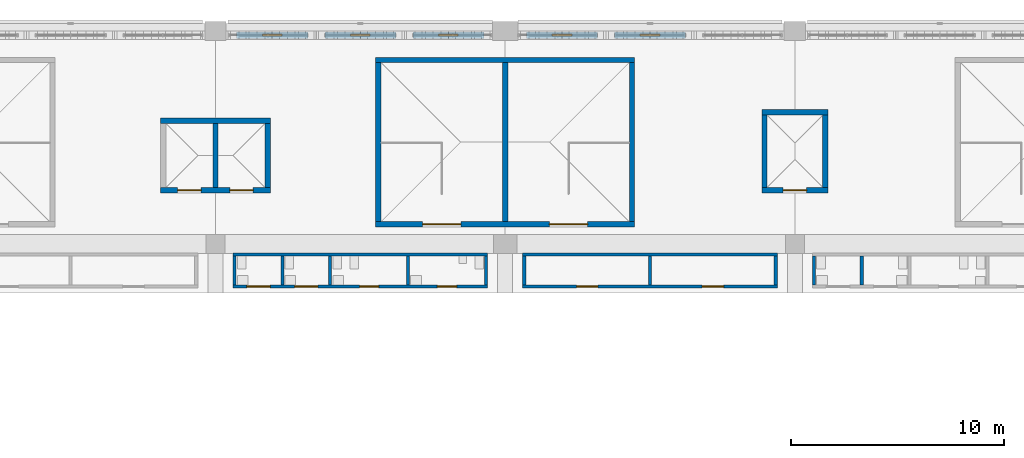
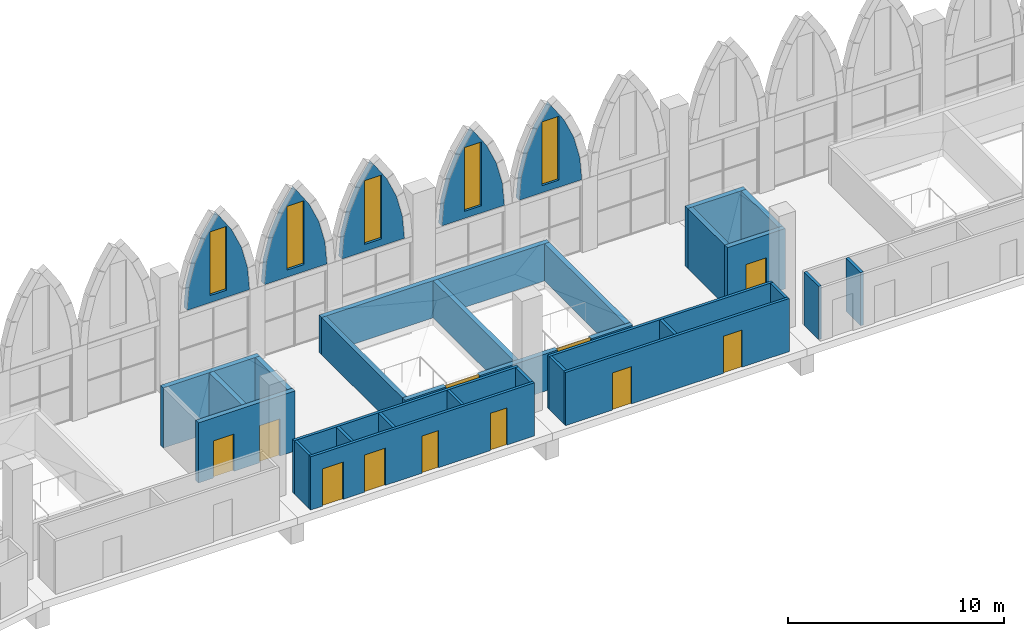
# One storey, part 82 of 130: 32 walls, 11 doors, 5 windows, 16 openings.
"""IFC4 building model written with IfcOpenShell, lengths in metres."""

import ifcopenshell
import ifcopenshell.guid

model = None  # the IFC model being written
_history = None  # IfcOwnerHistory: only IFC2X3 demands one
_inside = {}  # id of a spatial element -> (the spatial element, [elements in it])
_under = {}  # id of a project, library or spatial element -> (it, [spatial elements below it])
_declared = {}  # id of a project -> (the project, [libraries it declares])
_typed = {}  # id of a type object -> (the type object, [elements of that type])
_made_of = {}  # id of a material, layer set ... -> (it, [elements and type objects made of it])


def new_model(schema):
    """Start an empty IFC model of exactly this schema.

    Asked for "IFC4X3", IfcOpenShell would pick the latest addendum, in which some entities
    have other attributes; the version numbers below select the first issue.
    IFC2X3 requires an IfcOwnerHistory on every rooted entity: one is made here for all.
    """
    global model, _history
    if schema == "IFC4X3":
        model = ifcopenshell.file(schema_version=(4, 3, 0, 0))
    else:
        model = ifcopenshell.file(schema=schema)
    _inside.clear()
    _under.clear()
    _declared.clear()
    _typed.clear()
    _made_of.clear()
    _history = None
    if model.schema == "IFC2X3":
        org = make("IfcOrganization", Name="unknown")
        user = make(
            "IfcPersonAndOrganization",
            ThePerson=make("IfcPerson", FamilyName="unknown"),
            TheOrganization=org,
        )
        app = make(
            "IfcApplication",
            ApplicationDeveloper=org,
            Version="unknown",
            ApplicationFullName="unknown",
            ApplicationIdentifier="unknown",
        )
        _history = make(
            "IfcOwnerHistory",
            OwningUser=user,
            OwningApplication=app,
            ChangeAction="ADDED",
            CreationDate=0,
        )
    return model


def make(cls, **values):
    """One entity of the class cls with the attributes given. An attribute that is None is left unset."""
    return model.create_entity(
        cls, **{name: value for name, value in values.items() if value is not None}
    )


def rooted(cls, **values):
    """An entity with a GlobalId (a new one), such as an element, a storey or a relation."""
    return make(cls, GlobalId=ifcopenshell.guid.new(), OwnerHistory=_history, **values)


def si_unit(unit_type, name, prefix=None):
    """IfcSIUnit, for example si_unit("LENGTHUNIT", "METRE", prefix="MILLI")."""
    return make("IfcSIUnit", UnitType=unit_type, Prefix=prefix, Name=name)


def assignment(units):
    """IfcUnitAssignment: the units of a project."""
    return None if units is None else make("IfcUnitAssignment", Units=units)


def point(xyz):
    """IfcCartesianPoint."""
    return None if xyz is None else make("IfcCartesianPoint", Coordinates=xyz)


def direction(xyz):
    """IfcDirection."""
    return None if xyz is None else make("IfcDirection", DirectionRatios=xyz)


def frame(location, z_axis=None, x_axis=None):
    """IfcAxis2Placement3D, a coordinate frame: its origin and axes. An axis left out is left unset."""
    return make(
        "IfcAxis2Placement3D",
        Location=point(location),
        Axis=direction(z_axis),
        RefDirection=direction(x_axis),
    )


def frame_2d(location, x_axis=None):
    """IfcAxis2Placement2D, a coordinate frame in the plane: its origin and x axis."""
    return make(
        "IfcAxis2Placement2D", Location=point(location), RefDirection=direction(x_axis)
    )


def origin():
    """The frame at (0, 0, 0) with its axes left unset."""
    return frame((0.0, 0.0, 0.0))


def place(relative_to, where):
    """IfcLocalPlacement: puts the frame where relative to a parent placement (None: the world)."""
    return make(
        "IfcLocalPlacement", PlacementRelTo=relative_to, RelativePlacement=where
    )


def context(
    kind, dimensions, precision=None, world=None, true_north=None, identifier=None
):
    """IfcGeometricRepresentationContext, for example the 3D "Model" context."""
    return make(
        "IfcGeometricRepresentationContext",
        ContextIdentifier=identifier,
        ContextType=kind,
        CoordinateSpaceDimension=dimensions,
        Precision=precision,
        WorldCoordinateSystem=world,
        TrueNorth=true_north,
    )


def subcontext(parent, identifier, kind, view, scale=None):
    """IfcGeometricRepresentationSubContext, for example "Body" below "Model"."""
    return make(
        "IfcGeometricRepresentationSubContext",
        ContextIdentifier=identifier,
        ContextType=kind,
        ParentContext=parent,
        TargetScale=scale,
        TargetView=view,
    )


def project(units=None, contexts=None):
    """IfcProject with its units and contexts."""
    return rooted(
        "IfcProject",
        Name="project",
        RepresentationContexts=contexts,
        UnitsInContext=assignment(units),
    )


def spatial(cls, under=None, at=None, **own):
    """A site, building, storey or space (cls), placed at a placement, below another one or the project."""
    s = rooted(cls, ObjectPlacement=at, **own)
    if under is not None:
        _under.setdefault(under.id(), (under, []))[1].append(s)
    return s


def polyline(points):
    """IfcPolyline through the points."""
    return make("IfcPolyline", Points=[point(p) for p in points])


def profile(cls, at=None, kind="AREA", **sizes):
    """A parametric profile (cls). Its sizes go by their IFC names, for example OverallWidth=200.0."""
    return make(cls, ProfileType=kind, Position=at, **sizes)


def rectangle(**sizes):
    """IfcRectangleProfileDef."""
    return profile("IfcRectangleProfileDef", **sizes)


def outline(outer, holes=None, kind="AREA"):
    """IfcArbitraryClosedProfileDef: a profile drawn as a closed curve; with holes, ...WithVoids."""
    if holes is None:
        return make("IfcArbitraryClosedProfileDef", ProfileType=kind, OuterCurve=outer)
    return make(
        "IfcArbitraryProfileDefWithVoids",
        ProfileType=kind,
        OuterCurve=outer,
        InnerCurves=holes,
    )


def extrude(swept, where, along, depth):
    """IfcExtrudedAreaSolid: the profile swept, set in the frame where, extruded along a direction by depth."""
    return make(
        "IfcExtrudedAreaSolid",
        SweptArea=swept,
        Position=where,
        ExtrudedDirection=direction(along),
        Depth=depth,
    )


def shape(context_of_items, identifier, shape_type, items):
    """IfcShapeRepresentation: the items that make up one representation, for example the "Body"."""
    return make(
        "IfcShapeRepresentation",
        ContextOfItems=context_of_items,
        RepresentationIdentifier=identifier,
        RepresentationType=shape_type,
        Items=items,
    )


def material(Name=None, Category=None):
    """IfcMaterial."""
    return make("IfcMaterial", Name=Name, Category=Category)


def layer(
    of_material, thickness, ventilated=None, Name=None, Category=None, Priority=None
):
    """IfcMaterialLayer: one layer of a wall or slab, of a material (None: an air gap)."""
    return make(
        "IfcMaterialLayer",
        Material=of_material,
        LayerThickness=thickness,
        IsVentilated=ventilated,
        Name=Name,
        Category=Category,
        Priority=Priority,
    )


def layer_set(layers, Name=None):
    """IfcMaterialLayerSet."""
    return make("IfcMaterialLayerSet", MaterialLayers=layers, LayerSetName=Name)


def made_of(thing, what):
    """Note that an element or type object is made of a material, layer set ...; save() writes the relation."""
    if what is not None:
        _made_of.setdefault(what.id(), (what, []))[1].append(thing)
    return thing


def type_object(cls, material=None, **own):
    """A type object (cls), such as IfcWallType, which elements share."""
    return made_of(rooted(cls, **own), material)


def element(
    cls,
    number,
    at=None,
    inside=None,
    cuts=None,
    type_object=None,
    material=None,
    context=None,
    identifier="Body",
    shape_type=None,
    held_by="IfcProductDefinitionShape",
    body=None,
    shapes=None,
    **own,
):
    """One element of the class cls, such as IfcWall. Its Tag is "e" and its number.

    at: its placement. inside: the storey or other place that contains it. cuts: it is an
    opening in that element (IfcRelVoidsElement). A single representation is given by context,
    identifier, shape_type and body (its items); several are given by shapes. held_by: the class
    of the entity that holds the representations. save() writes the other relations.
    """
    e = rooted(cls, Tag="e%d" % number, ObjectPlacement=at, **own)
    if body is not None:
        shapes = [shape(context, identifier, shape_type, body)]
    if shapes is not None:
        e.Representation = make(held_by, Representations=shapes)
    if inside is not None:
        _inside.setdefault(inside.id(), (inside, []))[1].append(e)
    if cuts is not None:
        rooted(
            "IfcRelVoidsElement", RelatingBuildingElement=cuts, RelatedOpeningElement=e
        )
    if type_object is not None:
        _typed.setdefault(type_object.id(), (type_object, []))[1].append(e)
    return made_of(e, material)


def fill(opening, filler):
    """IfcRelFillsElement: the door or window that sits in an opening."""
    return rooted(
        "IfcRelFillsElement",
        RelatingOpeningElement=opening,
        RelatedBuildingElement=filler,
    )


def aggregate(whole, parts):
    """IfcRelAggregates: a whole, such as a stair, and the parts it consists of."""
    return rooted("IfcRelAggregates", RelatingObject=whole, RelatedObjects=parts)


def save(model, path):
    """Write the relations noted so far, then the file.

    IfcRelAggregates (storeys below a building ...), IfcRelContainedInSpatialStructure (elements
    in a storey), IfcRelDefinesByType, IfcRelAssociatesMaterial and IfcRelDeclares: one each for
    every whole, place, type object, material and project.
    """
    for whole, parts in _under.values():
        aggregate(whole, parts)
    for where, things in _inside.values():
        rooted(
            "IfcRelContainedInSpatialStructure",
            RelatedElements=things,
            RelatingStructure=where,
        )
    for kind, things in _typed.values():
        rooted("IfcRelDefinesByType", RelatedObjects=things, RelatingType=kind)
    for what, things in _made_of.values():
        rooted("IfcRelAssociatesMaterial", RelatedObjects=things, RelatingMaterial=what)
    for by, libraries in _declared.values():
        rooted("IfcRelDeclares", RelatingContext=by, RelatedDefinitions=libraries)
    model.write(path)


model = new_model("IFC4")

# Units and contexts
model_context = context("Model", 3, precision=1e-05, world=origin(), true_north=direction((0.0, 1.0)))
body_context = subcontext(model_context, "Body", "Model", "MODEL_VIEW")
ifc_project = project(units=[si_unit("LENGTHUNIT", "METRE"), si_unit("AREAUNIT", "SQUARE_METRE"), si_unit("VOLUMEUNIT", "CUBIC_METRE"), si_unit("PLANEANGLEUNIT", "RADIAN"), si_unit("MASSUNIT", "GRAM", prefix="KILO")], contexts=[model_context])

# Site, building, storey
site_placement = place(None, origin())
site = spatial("IfcSite", under=ifc_project, at=site_placement, CompositionType="ELEMENT")
building_placement = place(site_placement, origin())
building = spatial("IfcBuilding", under=site, at=building_placement, Name="Ogive Plaza Stadium", CompositionType="ELEMENT")
storey_placement = place(building_placement, frame((0.0, 0.0, 22.5)))
storey = spatial("IfcBuildingStorey", under=building, at=storey_placement, Name="L05", CompositionType="ELEMENT", Elevation=22.5)

# Wall, openings, doors
ifc_material_1 = material(Name="Masonry blockwork", Category="masonry")
ifc_layer_1 = layer(ifc_material_1, 0.14990234375)
ifc_layer_set_1 = layer_set([ifc_layer_1], Name="Blockwork wall 150")
wall_type_1 = type_object("IfcWallType", Name="Blockwork wall 150", PredefinedType="SOLIDWALL", material=ifc_layer_set_1)
wall_1_placement = place(storey_placement, frame((-5.97509765625, 90.5, 0.0), z_axis=(0.0, 0.0, 1.0), x_axis=(1.0, 0.0, 0.0)))
wall_1 = element("IfcWall", 1, at=wall_1_placement, inside=storey, type_object=wall_type_1, Name="Wall L05 B34", PredefinedType="SOLIDWALL", context=body_context, shape_type="SweptSolid", body=[
    extrude(rectangle(XDim=11.9501953125, YDim=0.14990234375, at=frame_2d((5.97509765625, 0.0))), origin(), (0.0, 0.0, 1.0), 3.0),
])
opening_1_placement = place(wall_1_placement, frame((2.52490234375, 0.0, 0.0)))
opening_1 = element("IfcOpeningElement", 2, at=opening_1_placement, cuts=wall_1, Name="Opening D1017", PredefinedType="OPENING", context=body_context, shape_type="SweptSolid", body=[
    extrude(rectangle(XDim=1.0, YDim=2.10009765625, at=frame_2d((0.5, 1.050048828125))), frame((0.0, 0.074951171875, 0.0), z_axis=(0.0, -1.0, 0.0), x_axis=(1.0, 0.0, 0.0)), (0.0, 0.0, 1.0), 0.14990234375),
])
opening_2_placement = place(wall_1_placement, frame((8.425048828125, 0.0, 0.0)))
opening_2 = element("IfcOpeningElement", 3, at=opening_2_placement, cuts=wall_1, Name="Opening D1018", PredefinedType="OPENING", context=body_context, shape_type="SweptSolid", body=[
    extrude(rectangle(XDim=1.0, YDim=2.10009765625, at=frame_2d((0.5, 1.050048828125))), frame((0.0, 0.074951171875, 0.0), z_axis=(0.0, -1.0, 0.0), x_axis=(1.0, 0.0, 0.0)), (0.0, 0.0, 1.0), 0.14990234375),
])
ifc_material_2 = material(Name="Steel ASTM A572 Grade 50", Category="steel")
door_type_1 = type_object("IfcDoorType", Name="Door 1000 x 2100", OperationType="SINGLE_SWING_LEFT", PredefinedType="DOOR", material=ifc_material_2)
door_1_placement = place(opening_1_placement, origin())
door_1 = element("IfcDoor", 4, at=door_1_placement, inside=storey, type_object=door_type_1, Name="Concession Stand B34 door", OperationType="SINGLE_SWING_LEFT", OverallHeight=2.10009765625, OverallWidth=1.0, PredefinedType="DOOR", context=body_context, shape_type="SweptSolid", body=[
    extrude(rectangle(XDim=1.0, YDim=2.10009765625, at=frame_2d((0.5, 1.050048828125))), frame((0.0, 0.02490234375, 0.0), z_axis=(0.0, -1.0, 0.0), x_axis=(1.0, 0.0, 0.0)), (0.0, 0.0, 1.0), 0.050048828125),
])
fill(opening_1, door_1)
door_2_placement = place(opening_2_placement, origin())
door_2 = element("IfcDoor", 5, at=door_2_placement, inside=storey, type_object=door_type_1, Name="Concession Stand B34 door", OperationType="SINGLE_SWING_RIGHT", OverallHeight=2.10009765625, OverallWidth=1.0, PredefinedType="DOOR", context=body_context, shape_type="SweptSolid", body=[
    extrude(rectangle(XDim=1.0, YDim=2.10009765625, at=frame_2d((0.5, 1.050048828125))), frame((0.0, 0.02490234375, 0.0), z_axis=(0.0, -1.0, 0.0), x_axis=(1.0, 0.0, 0.0)), (0.0, 0.0, 1.0), 0.050048828125),
])
fill(opening_2, door_2)

# Walls
wall_2_placement = place(storey_placement, frame((-5.97509765625, 92.0, 0.0), z_axis=(0.0, 0.0, 1.0), x_axis=(1.0, 0.0, 0.0)))
element("IfcWall", 6, at=wall_2_placement, inside=storey, type_object=wall_type_1, Name="Wall L05 B34", PredefinedType="SOLIDWALL", context=body_context, shape_type="SweptSolid", body=[
    extrude(rectangle(XDim=11.9501953125, YDim=0.14990234375, at=frame_2d((5.97509765625, 0.0))), origin(), (0.0, 0.0, 1.0), 3.0),
])
for number, where, z_axis, x_axis, name in (
    (7, (-5.89990234375, 90.574951171875, 0.0), (0.0, 0.0, 1.0), (0.0, 1.0, 0.0), "Wall L05 B34"),
    (8, (0.0, 90.574951171875, 0.0), (0.0, 0.0, 1.0), (0.0, 1.0, 0.0), "Wall L05 B34"),
    (9, (5.89990234375, 90.574951171875, 0.0), (0.0, 0.0, 1.0), (0.0, 1.0, 0.0), "Wall L05 B34"),
):
    element("IfcWall", number, at=place(storey_placement, frame(where, z_axis=z_axis, x_axis=x_axis)), inside=storey, type_object=wall_type_1, Name=name, PredefinedType="SOLIDWALL", context=body_context, shape_type="SweptSolid", body=[
        extrude(rectangle(XDim=1.35009765625, YDim=0.14990234375, at=frame_2d((0.675048828125, 0.0))), origin(), (0.0, 0.0, 1.0), 3.0),
    ])

# Wall, openings, doors
ifc_material_3 = material(Name="Concrete C40/50", Category="concrete")
ifc_layer_2 = layer(ifc_material_3, 0.25)
ifc_layer_set_2 = layer_set([ifc_layer_2], Name="Concrete C40/50")
wall_type_2 = type_object("IfcWallType", Name="Core wall 250", PredefinedType="SHEAR", material=ifc_layer_set_2)
wall_3_placement = place(storey_placement, frame((-0.72509765625, 93.425048828125, 0.0), z_axis=(0.0, 0.0, 1.0), x_axis=(-1.0, 0.0, 0.0)))
wall_3 = element("IfcWall", 10, at=wall_3_placement, inside=storey, type_object=wall_type_2, Name="Stair core R34 inner wall", PredefinedType="SHEAR", context=body_context, shape_type="SweptSolid", body=[
    extrude(rectangle(XDim=12.14990234375, YDim=0.25, at=frame_2d((6.074951171875, 0.0))), origin(), (0.0, 0.0, 1.0), 2.10009765625),
])
opening_3_placement = place(wall_3_placement, frame((2.199951171875, 0.0, 0.0)))
opening_3 = element("IfcOpeningElement", 11, at=opening_3_placement, cuts=wall_3, Name="Opening D0257", PredefinedType="OPENING", context=body_context, shape_type="SweptSolid", body=[
    extrude(rectangle(XDim=1.800048828125, YDim=2.10009765625, at=frame_2d((0.89990234375, 1.050048828125))), frame((0.0, 0.125, 0.0), z_axis=(0.0, -1.0, 0.0), x_axis=(1.0, 0.0, 0.0)), (0.0, 0.0, 1.0), 0.25),
])
opening_4_placement = place(wall_3_placement, frame((8.14990234375, 0.0, 0.0)))
opening_4 = element("IfcOpeningElement", 12, at=opening_4_placement, cuts=wall_3, Name="Opening D0258", PredefinedType="OPENING", context=body_context, shape_type="SweptSolid", body=[
    extrude(rectangle(XDim=1.800048828125, YDim=2.10009765625, at=frame_2d((0.89990234375, 1.050048828125))), frame((0.0, 0.125, 0.0), z_axis=(0.0, -1.0, 0.0), x_axis=(1.0, 0.0, 0.0)), (0.0, 0.0, 1.0), 0.25),
])
ifc_material_4 = material(Name="Steel ASTM A572 Grade 50", Category="steel")
door_type_2 = type_object("IfcDoorType", Name="Fire door FD90 pair 1800 x 2100", OperationType="DOUBLE_DOOR_SINGLE_SWING", PredefinedType="DOOR", material=ifc_material_4)
door_3_placement = place(opening_3_placement, origin())
door_3 = element("IfcDoor", 13, at=door_3_placement, inside=storey, type_object=door_type_2, Name="Exit stair R34A door L05", OperationType="DOUBLE_DOOR_SINGLE_SWING", OverallHeight=2.10009765625, OverallWidth=1.800048828125, PredefinedType="DOOR", context=body_context, shape_type="SweptSolid", body=[
    extrude(rectangle(XDim=1.800048828125, YDim=2.10009765625, at=frame_2d((0.89990234375, 1.050048828125))), frame((0.0, 0.02490234375, 0.0), z_axis=(0.0, -1.0, 0.0), x_axis=(1.0, 0.0, 0.0)), (0.0, 0.0, 1.0), 0.050048828125),
])
fill(opening_3, door_3)
door_4_placement = place(opening_4_placement, origin())
door_4 = element("IfcDoor", 14, at=door_4_placement, inside=storey, type_object=door_type_2, Name="Exit stair R34B door L05", OperationType="DOUBLE_DOOR_SINGLE_SWING", OverallHeight=2.10009765625, OverallWidth=1.800048828125, PredefinedType="DOOR", context=body_context, shape_type="SweptSolid", body=[
    extrude(rectangle(XDim=1.800048828125, YDim=2.10009765625, at=frame_2d((0.89990234375, 1.050048828125))), frame((0.0, 0.02490234375, 0.0), z_axis=(0.0, -1.0, 0.0), x_axis=(1.0, 0.0, 0.0)), (0.0, 0.0, 1.0), 0.050048828125),
])
fill(opening_4, door_4)

# Walls
wall_4_placement = place(storey_placement, frame((-0.72509765625, 101.135009765625, 0.0), z_axis=(0.0, 0.0, 1.0), x_axis=(-1.0, 0.0, 0.0)))
element("IfcWall", 15, at=wall_4_placement, inside=storey, type_object=wall_type_2, Name="Stair core R34 outer wall", PredefinedType="SHEAR", context=body_context, shape_type="SweptSolid", body=[
    extrude(rectangle(XDim=12.14990234375, YDim=0.25, at=frame_2d((6.074951171875, 0.0))), origin(), (0.0, 0.0, 1.0), 2.10009765625),
])
for number, where, z_axis, x_axis, name in (
    (16, (-0.85009765625, 93.550048828125, 0.0), (0.0, 0.0, 1.0), (0.0, 1.0, 0.0), "Stair core R34 side wall"),
    (17, (-12.75, 93.550048828125, 0.0), (0.0, 0.0, 1.0), (0.0, 1.0, 0.0), "Stair core R34 side wall"),
    (18, (-6.800048828125, 93.550048828125, 0.0), (0.0, 0.0, 1.0), (0.0, 1.0, 0.0), "Stair core R34 centre wall"),
):
    element("IfcWall", number, at=place(storey_placement, frame(where, z_axis=z_axis, x_axis=x_axis)), inside=storey, type_object=wall_type_2, Name=name, PredefinedType="SHEAR", context=body_context, shape_type="SweptSolid", body=[
        extrude(rectangle(XDim=7.4599609375, YDim=0.25, at=frame_2d((3.72998046875, 0.0))), origin(), (0.0, 0.0, 1.0), 2.10009765625),
    ])

# Wall, openings, doors
ifc_material_5 = material(Name="Concrete C40/50", Category="concrete")
ifc_layer_3 = layer(ifc_material_5, 0.25)
ifc_layer_set_3 = layer_set([ifc_layer_3], Name="Concrete C40/50")
wall_type_3 = type_object("IfcWallType", Name="Core wall 250 A", PredefinedType="SHEAR", material=ifc_layer_set_3)
wall_5_placement = place(storey_placement, frame((-17.824951171875, 95.02490234375, 0.0), z_axis=(0.0, 0.0, 1.0), x_axis=(-1.0, 0.0, 0.0)))
wall_5 = element("IfcWall", 19, at=wall_5_placement, inside=storey, type_object=wall_type_3, Name="Lift core LP33 landing wall", PredefinedType="SHEAR", context=body_context, shape_type="SweptSolid", body=[
    extrude(rectangle(XDim=5.150146484375, YDim=0.25, at=frame_2d((2.5751953125, 0.0))), origin(), (0.0, 0.0, 1.0), 3.39990234375),
])
opening_5_placement = place(wall_5_placement, frame((0.800048828125, 0.0, 0.0)))
opening_5 = element("IfcOpeningElement", 20, at=opening_5_placement, cuts=wall_5, Name="Opening LD082", PredefinedType="OPENING", context=body_context, shape_type="SweptSolid", body=[
    extrude(rectangle(XDim=1.10009765625, YDim=2.10009765625, at=frame_2d((0.550048828125, 1.050048828125))), frame((0.0, 0.125, 0.0), z_axis=(0.0, -1.0, 0.0), x_axis=(1.0, 0.0, 0.0)), (0.0, 0.0, 1.0), 0.25),
])
opening_6_placement = place(wall_5_placement, frame((3.25, 0.0, 0.0)))
opening_6 = element("IfcOpeningElement", 21, at=opening_6_placement, cuts=wall_5, Name="Opening LD083", PredefinedType="OPENING", context=body_context, shape_type="SweptSolid", body=[
    extrude(rectangle(XDim=1.10009765625, YDim=2.10009765625, at=frame_2d((0.550048828125, 1.050048828125))), frame((0.0, 0.125, 0.0), z_axis=(0.0, -1.0, 0.0), x_axis=(1.0, 0.0, 0.0)), (0.0, 0.0, 1.0), 0.25),
])
ifc_material_6 = material(Name="Steel ASTM A572 Grade 50", Category="steel")
door_type_3 = type_object("IfcDoorType", Name="Landing door 1100 x 2100", OperationType="SLIDING_TO_LEFT", PredefinedType="DOOR", material=ifc_material_6)
door_5_placement = place(opening_5_placement, origin())
door_5 = element("IfcDoor", 22, at=door_5_placement, inside=storey, type_object=door_type_3, Name="Lift landing door LP33 L05", OperationType="SLIDING_TO_LEFT", OverallHeight=2.10009765625, OverallWidth=1.10009765625, PredefinedType="DOOR", context=body_context, shape_type="SweptSolid", body=[
    extrude(rectangle(XDim=1.10009765625, YDim=2.10009765625, at=frame_2d((0.550048828125, 1.050048828125))), frame((0.0, 0.02490234375, 0.0), z_axis=(0.0, -1.0, 0.0), x_axis=(1.0, 0.0, 0.0)), (0.0, 0.0, 1.0), 0.050048828125),
])
fill(opening_5, door_5)
door_6_placement = place(opening_6_placement, origin())
door_6 = element("IfcDoor", 23, at=door_6_placement, inside=storey, type_object=door_type_3, Name="Lift landing door LP33 L05", OperationType="SLIDING_TO_LEFT", OverallHeight=2.10009765625, OverallWidth=1.10009765625, PredefinedType="DOOR", context=body_context, shape_type="SweptSolid", body=[
    extrude(rectangle(XDim=1.10009765625, YDim=2.10009765625, at=frame_2d((0.550048828125, 1.050048828125))), frame((0.0, 0.02490234375, 0.0), z_axis=(0.0, -1.0, 0.0), x_axis=(1.0, 0.0, 0.0)), (0.0, 0.0, 1.0), 0.050048828125),
])
fill(opening_6, door_6)

# Walls
wall_6_placement = place(storey_placement, frame((-17.824951171875, 98.27490234375, 0.0), z_axis=(0.0, 0.0, 1.0), x_axis=(-1.0, 0.0, 0.0)))
element("IfcWall", 24, at=wall_6_placement, inside=storey, type_object=wall_type_3, Name="Lift core LP33 rear wall", PredefinedType="SHEAR", context=body_context, shape_type="SweptSolid", body=[
    extrude(rectangle(XDim=5.150146484375, YDim=0.25, at=frame_2d((2.5751953125, 0.0))), origin(), (0.0, 0.0, 1.0), 3.39990234375),
])
for number, where, z_axis, x_axis, name in (
    (25, (-17.949951171875, 95.14990234375, 0.0), (0.0, 0.0, 1.0), (0.0, 1.0, 0.0), "Lift core LP33 side wall"),
    (26, (-20.39990234375, 95.14990234375, 0.0), (0.0, 0.0, 1.0), (0.0, 1.0, 0.0), "Lift core LP33 centre wall"),
):
    element("IfcWall", number, at=place(storey_placement, frame(where, z_axis=z_axis, x_axis=x_axis)), inside=storey, type_object=wall_type_3, Name=name, PredefinedType="SHEAR", context=body_context, shape_type="SweptSolid", body=[
        extrude(rectangle(XDim=3.0, YDim=0.25, at=frame_2d((1.5, 0.0))), origin(), (0.0, 0.0, 1.0), 3.39990234375),
    ])

# Wall, opening, door
wall_7_placement = place(storey_placement, frame((8.35009765625, 95.02490234375, 0.0), z_axis=(0.0, 0.0, 1.0), x_axis=(-1.0, 0.0, 0.0)))
wall_7 = element("IfcWall", 27, at=wall_7_placement, inside=storey, type_object=wall_type_3, Name="Lift core LS35 landing wall", PredefinedType="SHEAR", context=body_context, shape_type="SweptSolid", body=[
    extrude(rectangle(XDim=3.10009765625, YDim=0.25, at=frame_2d((1.550048828125, 0.0))), origin(), (0.0, 0.0, 1.0), 3.39990234375),
])
opening_7_placement = place(wall_7_placement, frame((1.0, 0.0, 0.0)))
opening_7 = element("IfcOpeningElement", 28, at=opening_7_placement, cuts=wall_7, Name="Opening LD090", PredefinedType="OPENING", context=body_context, shape_type="SweptSolid", body=[
    extrude(rectangle(XDim=1.10009765625, YDim=2.10009765625, at=frame_2d((0.550048828125, 1.050048828125))), frame((0.0, 0.125, 0.0), z_axis=(0.0, -1.0, 0.0), x_axis=(1.0, 0.0, 0.0)), (0.0, 0.0, 1.0), 0.25),
])
door_7_placement = place(opening_7_placement, origin())
door_7 = element("IfcDoor", 29, at=door_7_placement, inside=storey, type_object=door_type_3, Name="Lift landing door LS35 L05", OperationType="SLIDING_TO_LEFT", OverallHeight=2.10009765625, OverallWidth=1.10009765625, PredefinedType="DOOR", context=body_context, shape_type="SweptSolid", body=[
    extrude(rectangle(XDim=1.10009765625, YDim=2.10009765625, at=frame_2d((0.550048828125, 1.050048828125))), frame((0.0, 0.02490234375, 0.0), z_axis=(0.0, -1.0, 0.0), x_axis=(1.0, 0.0, 0.0)), (0.0, 0.0, 1.0), 0.050048828125),
])
fill(opening_7, door_7)

# Walls
wall_8_placement = place(storey_placement, frame((8.35009765625, 98.675048828125, 0.0), z_axis=(0.0, 0.0, 1.0), x_axis=(-1.0, 0.0, 0.0)))
element("IfcWall", 30, at=wall_8_placement, inside=storey, type_object=wall_type_3, Name="Lift core LS35 rear wall", PredefinedType="SHEAR", context=body_context, shape_type="SweptSolid", body=[
    extrude(rectangle(XDim=3.10009765625, YDim=0.25, at=frame_2d((1.550048828125, 0.0))), origin(), (0.0, 0.0, 1.0), 3.39990234375),
])
for number, where, z_axis, x_axis, name in (
    (31, (8.22509765625, 95.14990234375, 0.0), (0.0, 0.0, 1.0), (0.0, 1.0, 0.0), "Lift core LS35 side wall"),
    (32, (5.375, 95.14990234375, 0.0), (0.0, 0.0, 1.0), (0.0, 1.0, 0.0), "Lift core LS35 side wall"),
):
    element("IfcWall", number, at=place(storey_placement, frame(where, z_axis=z_axis, x_axis=x_axis)), inside=storey, type_object=wall_type_3, Name=name, PredefinedType="SHEAR", context=body_context, shape_type="SweptSolid", body=[
        extrude(rectangle(XDim=3.400146484375, YDim=0.25, at=frame_2d((1.7001953125, 0.0))), origin(), (0.0, 0.0, 1.0), 3.39990234375),
    ])

# Wall, openings, doors
ifc_material_7 = material(Name="Gypsum board partition", Category="gypsum")
ifc_layer_4 = layer(ifc_material_7, 0.14990234375)
ifc_layer_set_4 = layer_set([ifc_layer_4], Name="Partition 150")
wall_type_4 = type_object("IfcWallType", Name="Partition 150", PredefinedType="PARTITIONING", material=ifc_layer_set_4)
wall_9_placement = place(storey_placement, frame((-7.625, 90.5, 0.0), z_axis=(0.0, 0.0, 1.0), x_axis=(-1.0, 0.0, 0.0)))
wall_9 = element("IfcWall", 33, at=wall_9_placement, inside=storey, type_object=wall_type_4, Name="Wall L05 B33", PredefinedType="PARTITIONING", context=body_context, shape_type="SweptSolid", body=[
    extrude(rectangle(XDim=11.949951171875, YDim=0.14990234375, at=frame_2d((5.97509765625, 0.0))), origin(), (0.0, 0.0, 1.0), 3.0),
])
opening_8_placement = place(wall_9_placement, frame((1.4541015625, 0.0, 0.0)))
opening_8 = element("IfcOpeningElement", 34, at=opening_8_placement, cuts=wall_9, Name="Opening D1013", PredefinedType="OPENING", context=body_context, shape_type="SweptSolid", body=[
    extrude(rectangle(XDim=0.89990234375, YDim=2.10009765625, at=frame_2d((0.449951171875, 1.050048828125))), frame((0.0, 0.074951171875, 0.0), z_axis=(0.0, -1.0, 0.0), x_axis=(1.0, 0.0, 0.0)), (0.0, 0.0, 1.0), 0.14990234375),
])
opening_9_placement = place(wall_9_placement, frame((5.112060546875, 0.0, 0.0)))
opening_9 = element("IfcOpeningElement", 35, at=opening_9_placement, cuts=wall_9, Name="Opening D1014", PredefinedType="OPENING", context=body_context, shape_type="SweptSolid", body=[
    extrude(rectangle(XDim=0.89990234375, YDim=2.10009765625, at=frame_2d((0.449951171875, 1.050048828125))), frame((0.0, 0.074951171875, 0.0), z_axis=(0.0, -1.0, 0.0), x_axis=(1.0, 0.0, 0.0)), (0.0, 0.0, 1.0), 0.14990234375),
])
opening_10_placement = place(wall_9_placement, frame((7.9619140625, 0.0, 0.0)))
opening_10 = element("IfcOpeningElement", 36, at=opening_10_placement, cuts=wall_9, Name="Opening D1015", PredefinedType="OPENING", context=body_context, shape_type="SweptSolid", body=[
    extrude(rectangle(XDim=1.10009765625, YDim=2.10009765625, at=frame_2d((0.550048828125, 1.050048828125))), frame((0.0, 0.074951171875, 0.0), z_axis=(0.0, -1.0, 0.0), x_axis=(1.0, 0.0, 0.0)), (0.0, 0.0, 1.0), 0.14990234375),
])
opening_11_placement = place(wall_9_placement, frame((10.2041015625, 0.0, 0.0)))
opening_11 = element("IfcOpeningElement", 37, at=opening_11_placement, cuts=wall_9, Name="Opening D1016", PredefinedType="OPENING", context=body_context, shape_type="SweptSolid", body=[
    extrude(rectangle(XDim=1.10009765625, YDim=2.10009765625, at=frame_2d((0.550048828125, 1.050048828125))), frame((0.0, 0.074951171875, 0.0), z_axis=(0.0, -1.0, 0.0), x_axis=(1.0, 0.0, 0.0)), (0.0, 0.0, 1.0), 0.14990234375),
])
ifc_material_8 = material(Name="Steel ASTM A572 Grade 50", Category="steel")
door_type_4 = type_object("IfcDoorType", Name="Accessible door 1100 x 2100", OperationType="SINGLE_SWING_LEFT", PredefinedType="DOOR", material=ifc_material_8)
door_8_placement = place(opening_10_placement, origin())
door_8 = element("IfcDoor", 38, at=door_8_placement, inside=storey, type_object=door_type_4, Name="Accessible WC B33 door", OperationType="SINGLE_SWING_RIGHT", OverallHeight=2.10009765625, OverallWidth=1.10009765625, PredefinedType="DOOR", context=body_context, shape_type="SweptSolid", body=[
    extrude(rectangle(XDim=1.10009765625, YDim=2.10009765625, at=frame_2d((0.550048828125, 1.050048828125))), frame((0.0, 0.02490234375, 0.0), z_axis=(0.0, -1.0, 0.0), x_axis=(1.0, 0.0, 0.0)), (0.0, 0.0, 1.0), 0.050048828125),
])
fill(opening_10, door_8)
door_9_placement = place(opening_11_placement, origin())
door_9 = element("IfcDoor", 39, at=door_9_placement, inside=storey, type_object=door_type_4, Name="Family WC B33 door", OperationType="SINGLE_SWING_LEFT", OverallHeight=2.10009765625, OverallWidth=1.10009765625, PredefinedType="DOOR", context=body_context, shape_type="SweptSolid", body=[
    extrude(rectangle(XDim=1.10009765625, YDim=2.10009765625, at=frame_2d((0.550048828125, 1.050048828125))), frame((0.0, 0.02490234375, 0.0), z_axis=(0.0, -1.0, 0.0), x_axis=(1.0, 0.0, 0.0)), (0.0, 0.0, 1.0), 0.050048828125),
])
fill(opening_11, door_9)
ifc_material_9 = material(Name="Steel ASTM A572 Grade 50", Category="steel")
door_type_5 = type_object("IfcDoorType", Name="Door 900 x 2100", OperationType="SINGLE_SWING_LEFT", PredefinedType="DOOR", material=ifc_material_9)
door_10_placement = place(opening_8_placement, origin())
door_10 = element("IfcDoor", 40, at=door_10_placement, inside=storey, type_object=door_type_5, Name="Men's Toilet B33 door", OperationType="SINGLE_SWING_RIGHT", OverallHeight=2.10009765625, OverallWidth=0.89990234375, PredefinedType="DOOR", context=body_context, shape_type="SweptSolid", body=[
    extrude(rectangle(XDim=0.89990234375, YDim=2.10009765625, at=frame_2d((0.449951171875, 1.050048828125))), frame((0.0, 0.02490234375, 0.0), z_axis=(0.0, -1.0, 0.0), x_axis=(1.0, 0.0, 0.0)), (0.0, 0.0, 1.0), 0.050048828125),
])
fill(opening_8, door_10)
door_11_placement = place(opening_9_placement, origin())
door_11 = element("IfcDoor", 41, at=door_11_placement, inside=storey, type_object=door_type_5, Name="Women's Toilet B33 door", OperationType="SINGLE_SWING_LEFT", OverallHeight=2.10009765625, OverallWidth=0.89990234375, PredefinedType="DOOR", context=body_context, shape_type="SweptSolid", body=[
    extrude(rectangle(XDim=0.89990234375, YDim=2.10009765625, at=frame_2d((0.449951171875, 1.050048828125))), frame((0.0, 0.02490234375, 0.0), z_axis=(0.0, -1.0, 0.0), x_axis=(1.0, 0.0, 0.0)), (0.0, 0.0, 1.0), 0.050048828125),
])
fill(opening_9, door_11)

# Walls
wall_10_placement = place(storey_placement, frame((-7.625, 92.0, 0.0), z_axis=(0.0, 0.0, 1.0), x_axis=(-1.0, 0.0, 0.0)))
element("IfcWall", 42, at=wall_10_placement, inside=storey, type_object=wall_type_4, Name="Wall L05 B33", PredefinedType="PARTITIONING", context=body_context, shape_type="SweptSolid", body=[
    extrude(rectangle(XDim=11.949951171875, YDim=0.14990234375, at=frame_2d((5.97509765625, 0.0))), origin(), (0.0, 0.0, 1.0), 3.0),
])
for number, where, z_axis, x_axis, name in (
    (43, (-7.699951171875, 90.574951171875, 0.0), (0.0, 0.0, 1.0), (0.0, 1.0, 0.0), "Wall L05 B33"),
    (44, (-11.35791015625, 90.574951171875, 0.0), (0.0, 0.0, 1.0), (0.0, 1.0, 0.0), "Wall L05 B33"),
    (45, (-15.01611328125, 90.574951171875, 0.0), (0.0, 0.0, 1.0), (0.0, 1.0, 0.0), "Wall L05 B33"),
    (46, (-17.258056640625, 90.574951171875, 0.0), (0.0, 0.0, 1.0), (0.0, 1.0, 0.0), "Wall L05 B33"),
    (47, (-19.5, 90.574951171875, 0.0), (0.0, 0.0, 1.0), (0.0, 1.0, 0.0), "Wall L05 B33"),
    (48, (9.94189453125, 90.574951171875, 0.0), (0.0, 0.0, 1.0), (0.0, 1.0, 0.0), "Wall L05 B35"),
    (49, (7.699951171875, 90.574951171875, 0.0), (0.0, 0.0, 1.0), (0.0, 1.0, 0.0), "Wall L05 B35"),
):
    element("IfcWall", number, at=place(storey_placement, frame(where, z_axis=z_axis, x_axis=x_axis)), inside=storey, type_object=wall_type_4, Name=name, PredefinedType="PARTITIONING", context=body_context, shape_type="SweptSolid", body=[
        extrude(rectangle(XDim=1.35009765625, YDim=0.14990234375, at=frame_2d((0.675048828125, 0.0))), origin(), (0.0, 0.0, 1.0), 3.0),
    ])

# Wall, opening, window
ifc_material_10 = material(Name="Concrete C45/55 precast", Category="concrete")
ifc_layer_5 = layer(ifc_material_10, 0.25)
ifc_material_11 = material(Name="Cast stone (reconstituted limestone)", Category="masonry")
ifc_layer_6 = layer(ifc_material_11, 0.050048828125)
ifc_layer_set_5 = layer_set([ifc_layer_5, ifc_layer_6], Name="Concrete C45/55 precast, cast stone facing")
wall_type_5 = type_object("IfcWallType", Name="Tympanum wall 300", PredefinedType="SOLIDWALL", material=ifc_layer_set_5)
wall_11_placement = place(storey_placement, frame((-19.39990234375, 102.300048828125, 4.10009765625), z_axis=(0.0, 0.0, 1.0), x_axis=(1.0, 0.0, 0.0)))
wall_11 = element("IfcWall", 50, at=wall_11_placement, inside=storey, type_object=wall_type_5, Name="TYMPANUM B33 1", PredefinedType="SOLIDWALL", context=body_context, shape_type="SweptSolid", body=[
    extrude(outline(polyline([(0.0, 0.0), (3.333251953125, 0.0), (3.333251953125, 0.0498046875), (3.225341796875, 1.2880859375), (2.90478515625, 2.54052734375), (2.38037109375, 3.721923828125), (1.666748046875, 4.7998046875), (0.952880859375, 3.721923828125), (0.428466796875, 2.54052734375), (0.10791015625, 1.2880859375), (0.0, 0.0498046875), (0.0, 0.0)])), frame((0.0, 0.14990234375, 0.0), z_axis=(0.0, -1.0, 0.0), x_axis=(1.0, 0.0, 0.0)), (0.0, 0.0, 1.0), 0.300048828125),
])
opening_12_placement = place(wall_11_placement, frame((1.216552734375, 0.0, 0.39990234375)))
opening_12 = element("IfcOpeningElement", 51, at=opening_12_placement, cuts=wall_11, Name="Opening W-33-1", PredefinedType="OPENING", context=body_context, shape_type="SweptSolid", body=[
    extrude(rectangle(XDim=0.89990234375, YDim=3.60009765625, at=frame_2d((0.449951171875, 1.800048828125))), frame((0.0, 0.16015625, 0.0), z_axis=(0.0, -1.0, 0.0), x_axis=(1.0, 0.0, 0.0)), (0.0, 0.0, 1.0), 0.320068359375),
])
ifc_material_12 = material(Name="Bronze-anodised aluminium and laminated glass", Category="aluminium")
window_type = type_object("IfcWindowType", Name="Lancet window 900 x 3600", PartitioningType="SINGLE_PANEL", PredefinedType="WINDOW", material=ifc_material_12)
window_1_placement = place(opening_12_placement, origin())
window_1 = element("IfcWindow", 52, at=window_1_placement, inside=storey, type_object=window_type, Name="LANCET WINDOW B33 1", OverallHeight=3.60009765625, OverallWidth=0.89990234375, PartitioningType="SINGLE_PANEL", PredefinedType="WINDOW", context=body_context, shape_type="SweptSolid", body=[
    extrude(rectangle(XDim=0.89990234375, YDim=3.60009765625, at=frame_2d((0.449951171875, 1.800048828125))), frame((0.0, 0.030029296875, 0.0), z_axis=(0.0, -1.0, 0.0), x_axis=(1.0, 0.0, 0.0)), (0.0, 0.0, 1.0), 0.06005859375),
])
fill(opening_12, window_1)

wall_12_placement = place(storey_placement, frame((-15.2666015625, 102.300048828125, 4.10009765625), z_axis=(0.0, 0.0, 1.0), x_axis=(1.0, 0.0, 0.0)))
wall_12 = element("IfcWall", 53, at=wall_12_placement, inside=storey, type_object=wall_type_5, Name="TYMPANUM B33 2", PredefinedType="SOLIDWALL", context=body_context, shape_type="SweptSolid", body=[
    extrude(outline(polyline([(0.0, 0.0), (3.333251953125, 0.0), (3.333251953125, 0.0498046875), (3.225341796875, 1.2880859375), (2.90478515625, 2.54052734375), (2.38037109375, 3.721923828125), (1.666748046875, 4.7998046875), (0.952880859375, 3.721923828125), (0.428466796875, 2.54052734375), (0.10791015625, 1.2880859375), (0.0, 0.0498046875), (0.0, 0.0)])), frame((0.0, 0.14990234375, 0.0), z_axis=(0.0, -1.0, 0.0), x_axis=(1.0, 0.0, 0.0)), (0.0, 0.0, 1.0), 0.300048828125),
])
opening_13_placement = place(wall_12_placement, frame((1.216552734375, 0.0, 0.39990234375)))
opening_13 = element("IfcOpeningElement", 54, at=opening_13_placement, cuts=wall_12, Name="Opening W-33-2", PredefinedType="OPENING", context=body_context, shape_type="SweptSolid", body=[
    extrude(rectangle(XDim=0.89990234375, YDim=3.60009765625, at=frame_2d((0.449951171875, 1.800048828125))), frame((0.0, 0.16015625, 0.0), z_axis=(0.0, -1.0, 0.0), x_axis=(1.0, 0.0, 0.0)), (0.0, 0.0, 1.0), 0.320068359375),
])
window_2_placement = place(opening_13_placement, origin())
window_2 = element("IfcWindow", 55, at=window_2_placement, inside=storey, type_object=window_type, Name="LANCET WINDOW B33 2", OverallHeight=3.60009765625, OverallWidth=0.89990234375, PartitioningType="SINGLE_PANEL", PredefinedType="WINDOW", context=body_context, shape_type="SweptSolid", body=[
    extrude(rectangle(XDim=0.89990234375, YDim=3.60009765625, at=frame_2d((0.449951171875, 1.800048828125))), frame((0.0, 0.030029296875, 0.0), z_axis=(0.0, -1.0, 0.0), x_axis=(1.0, 0.0, 0.0)), (0.0, 0.0, 1.0), 0.06005859375),
])
fill(opening_13, window_2)

wall_13_placement = place(storey_placement, frame((-11.13330078125, 102.300048828125, 4.10009765625), z_axis=(0.0, 0.0, 1.0), x_axis=(1.0, 0.0, 0.0)))
wall_13 = element("IfcWall", 56, at=wall_13_placement, inside=storey, type_object=wall_type_5, Name="TYMPANUM B33 3", PredefinedType="SOLIDWALL", context=body_context, shape_type="SweptSolid", body=[
    extrude(outline(polyline([(0.0, 0.0), (3.333251953125, 0.0), (3.333251953125, 0.0498046875), (3.225341796875, 1.2880859375), (2.90478515625, 2.54052734375), (2.38037109375, 3.721923828125), (1.666748046875, 4.7998046875), (0.952880859375, 3.721923828125), (0.428466796875, 2.54052734375), (0.10791015625, 1.2880859375), (0.0, 0.0498046875), (0.0, 0.0)])), frame((0.0, 0.14990234375, 0.0), z_axis=(0.0, -1.0, 0.0), x_axis=(1.0, 0.0, 0.0)), (0.0, 0.0, 1.0), 0.300048828125),
])
opening_14_placement = place(wall_13_placement, frame((1.216552734375, 0.0, 0.39990234375)))
opening_14 = element("IfcOpeningElement", 57, at=opening_14_placement, cuts=wall_13, Name="Opening W-33-3", PredefinedType="OPENING", context=body_context, shape_type="SweptSolid", body=[
    extrude(rectangle(XDim=0.89990234375, YDim=3.60009765625, at=frame_2d((0.449951171875, 1.800048828125))), frame((0.0, 0.16015625, 0.0), z_axis=(0.0, -1.0, 0.0), x_axis=(1.0, 0.0, 0.0)), (0.0, 0.0, 1.0), 0.320068359375),
])
window_3_placement = place(opening_14_placement, origin())
window_3 = element("IfcWindow", 58, at=window_3_placement, inside=storey, type_object=window_type, Name="LANCET WINDOW B33 3", OverallHeight=3.60009765625, OverallWidth=0.89990234375, PartitioningType="SINGLE_PANEL", PredefinedType="WINDOW", context=body_context, shape_type="SweptSolid", body=[
    extrude(rectangle(XDim=0.89990234375, YDim=3.60009765625, at=frame_2d((0.449951171875, 1.800048828125))), frame((0.0, 0.030029296875, 0.0), z_axis=(0.0, -1.0, 0.0), x_axis=(1.0, 0.0, 0.0)), (0.0, 0.0, 1.0), 0.06005859375),
])
fill(opening_14, window_3)

wall_14_placement = place(storey_placement, frame((-5.800048828125, 102.300048828125, 4.10009765625), z_axis=(0.0, 0.0, 1.0), x_axis=(1.0, 0.0, 0.0)))
wall_14 = element("IfcWall", 59, at=wall_14_placement, inside=storey, type_object=wall_type_5, Name="TYMPANUM B34 1", PredefinedType="SOLIDWALL", context=body_context, shape_type="SweptSolid", body=[
    extrude(outline(polyline([(0.0, 0.0), (3.33349609375, 0.0), (3.333251953125, 0.0498046875), (3.225341796875, 1.2880859375), (2.90478515625, 2.54052734375), (2.38037109375, 3.721923828125), (1.666748046875, 4.7998046875), (0.952880859375, 3.721923828125), (0.428466796875, 2.54052734375), (0.10791015625, 1.2880859375), (0.0, 0.0498046875), (0.0, 0.0)])), frame((0.0, 0.14990234375, 0.0), z_axis=(0.0, -1.0, 0.0), x_axis=(1.0, 0.0, 0.0)), (0.0, 0.0, 1.0), 0.300048828125),
])
opening_15_placement = place(wall_14_placement, frame((1.216552734375, 0.0, 0.39990234375)))
opening_15 = element("IfcOpeningElement", 60, at=opening_15_placement, cuts=wall_14, Name="Opening W-34-1", PredefinedType="OPENING", context=body_context, shape_type="SweptSolid", body=[
    extrude(rectangle(XDim=0.89990234375, YDim=3.60009765625, at=frame_2d((0.449951171875, 1.800048828125))), frame((0.0, 0.16015625, 0.0), z_axis=(0.0, -1.0, 0.0), x_axis=(1.0, 0.0, 0.0)), (0.0, 0.0, 1.0), 0.320068359375),
])
window_4_placement = place(opening_15_placement, origin())
window_4 = element("IfcWindow", 61, at=window_4_placement, inside=storey, type_object=window_type, Name="LANCET WINDOW B34 1", OverallHeight=3.60009765625, OverallWidth=0.89990234375, PartitioningType="SINGLE_PANEL", PredefinedType="WINDOW", context=body_context, shape_type="SweptSolid", body=[
    extrude(rectangle(XDim=0.89990234375, YDim=3.60009765625, at=frame_2d((0.449951171875, 1.800048828125))), frame((0.0, 0.030029296875, 0.0), z_axis=(0.0, -1.0, 0.0), x_axis=(1.0, 0.0, 0.0)), (0.0, 0.0, 1.0), 0.06005859375),
])
fill(opening_15, window_4)

wall_15_placement = place(storey_placement, frame((-1.666748046875, 102.300048828125, 4.10009765625), z_axis=(0.0, 0.0, 1.0), x_axis=(1.0, 0.0, 0.0)))
wall_15 = element("IfcWall", 62, at=wall_15_placement, inside=storey, type_object=wall_type_5, Name="TYMPANUM B34 2", PredefinedType="SOLIDWALL", context=body_context, shape_type="SweptSolid", body=[
    extrude(outline(polyline([(0.0, 0.0), (3.33349609375, 0.0), (3.333251953125, 0.0498046875), (3.225341796875, 1.2880859375), (2.90478515625, 2.54052734375), (2.38037109375, 3.721923828125), (1.666748046875, 4.7998046875), (0.952880859375, 3.721923828125), (0.428466796875, 2.54052734375), (0.10791015625, 1.2880859375), (0.0, 0.0498046875), (0.0, 0.0)])), frame((0.0, 0.14990234375, 0.0), z_axis=(0.0, -1.0, 0.0), x_axis=(1.0, 0.0, 0.0)), (0.0, 0.0, 1.0), 0.300048828125),
])
opening_16_placement = place(wall_15_placement, frame((1.216552734375, 0.0, 0.39990234375)))
opening_16 = element("IfcOpeningElement", 63, at=opening_16_placement, cuts=wall_15, Name="Opening W-34-2", PredefinedType="OPENING", context=body_context, shape_type="SweptSolid", body=[
    extrude(rectangle(XDim=0.89990234375, YDim=3.60009765625, at=frame_2d((0.449951171875, 1.800048828125))), frame((0.0, 0.16015625, 0.0), z_axis=(0.0, -1.0, 0.0), x_axis=(1.0, 0.0, 0.0)), (0.0, 0.0, 1.0), 0.320068359375),
])
window_5_placement = place(opening_16_placement, origin())
window_5 = element("IfcWindow", 64, at=window_5_placement, inside=storey, type_object=window_type, Name="LANCET WINDOW B34 2", OverallHeight=3.60009765625, OverallWidth=0.89990234375, PartitioningType="SINGLE_PANEL", PredefinedType="WINDOW", context=body_context, shape_type="SweptSolid", body=[
    extrude(rectangle(XDim=0.89990234375, YDim=3.60009765625, at=frame_2d((0.449951171875, 1.800048828125))), frame((0.0, 0.030029296875, 0.0), z_axis=(0.0, -1.0, 0.0), x_axis=(1.0, 0.0, 0.0)), (0.0, 0.0, 1.0), 0.06005859375),
])
fill(opening_16, window_5)

save(model, "model.ifc")
